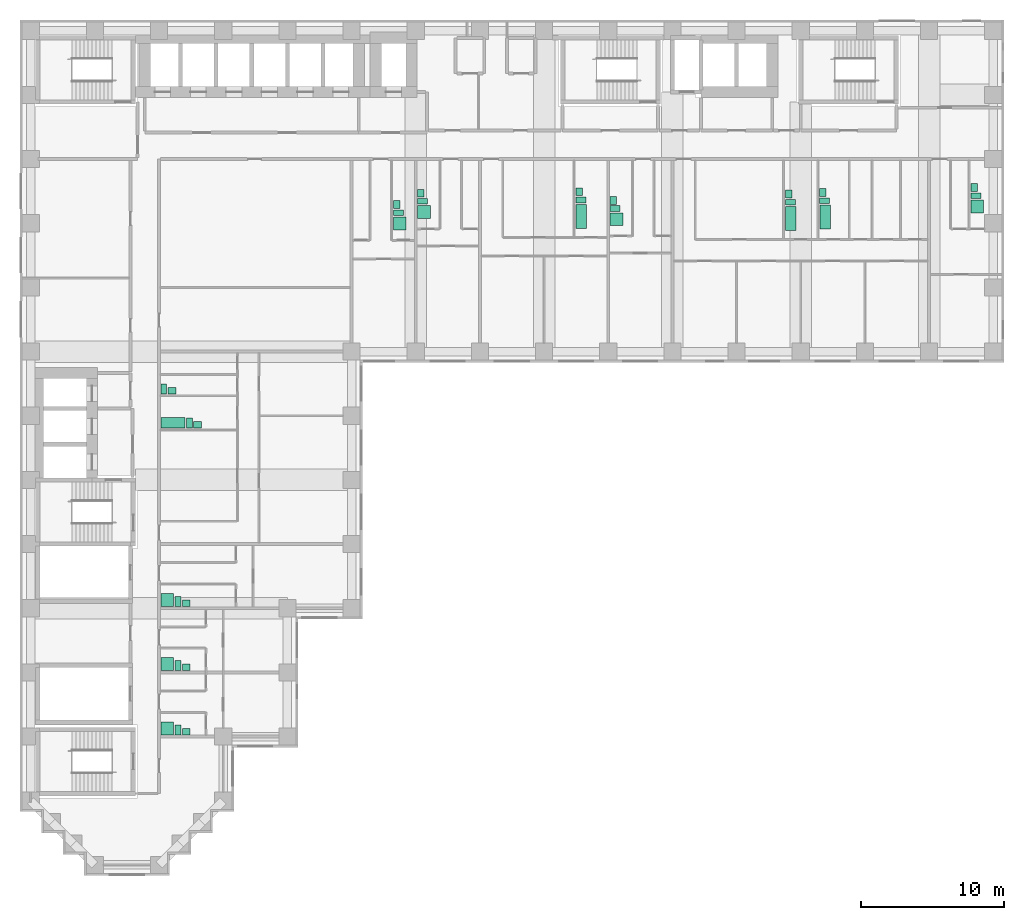
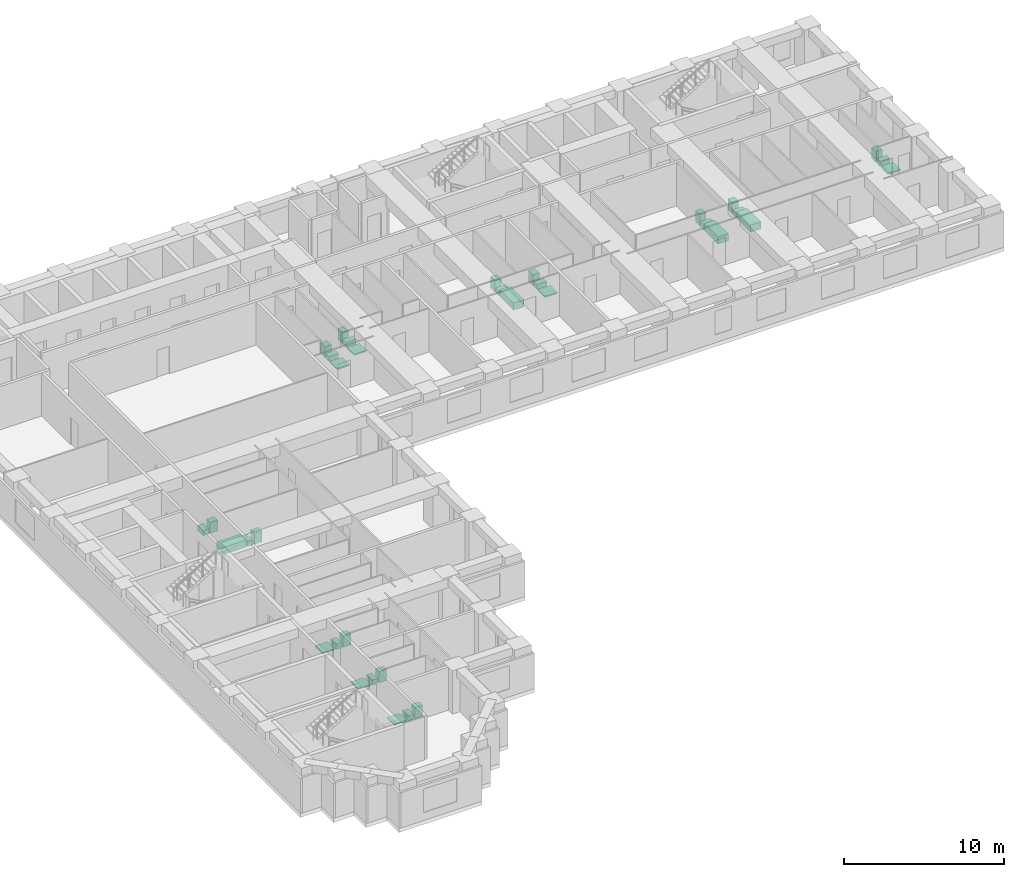
# One storey, part 12 of 12: 35 sanitary terminals.
"""IFC4 building model written with IfcOpenShell, lengths in metres."""

from ifc_helpers import new_model, si_unit, direction, frame, origin, origin_2d, place, context, subcontext, project, spatial, rectangle, extrude, material, type_object, element, save


model = new_model("IFC4")

# Units and contexts
model_context = context("Model", 3, precision=1e-05, world=origin(), true_north=direction((0.0, 1.0)))
body_context = subcontext(model_context, "Body", "Model", "MODEL_VIEW")
ifc_project = project(units=[si_unit("LENGTHUNIT", "METRE"), si_unit("AREAUNIT", "SQUARE_METRE"), si_unit("VOLUMEUNIT", "CUBIC_METRE"), si_unit("PLANEANGLEUNIT", "RADIAN"), si_unit("MASSUNIT", "GRAM", prefix="KILO")], contexts=[model_context])

# Site, building, storey
site_placement = place(None, origin())
site = spatial("IfcSite", under=ifc_project, at=site_placement, CompositionType="ELEMENT")
building_placement = place(site_placement, origin())
building = spatial("IfcBuilding", under=site, at=building_placement, Name="Firuza Court", CompositionType="ELEMENT")
storey_placement = place(building_placement, frame((0.0, 0.0, 43.39990234375)))
storey = spatial("IfcBuildingStorey", under=building, at=storey_placement, Name="L09", CompositionType="ELEMENT", Elevation=43.39990234375)

# Sanitary terminals
ifc_material_1 = material(Name="Vitreous china", Category="ceramic")
sanitary_terminal_type_1 = type_object("IfcSanitaryTerminalType", Name="Fixture Bath", PredefinedType="BATH", material=ifc_material_1)
for number, where, z_axis, x_axis, name in (
    (1, (38.60498046875, 45.47998046875, 0.0), (0.0, 0.0, 1.0), (1.0, 0.0, 0.0), "Bath"),
    (2, (53.304931640625, 45.330078125, 0.0), (0.0, 0.0, 1.0), (1.0, 0.0, 0.0), "Bath"),
    (3, (55.705078125, 45.429931640625, 0.0), (0.0, 0.0, 1.0), (1.0, 0.0, 0.0), "Bath"),
):
    element("IfcSanitaryTerminal", number, at=place(storey_placement, frame(where, z_axis=z_axis, x_axis=x_axis)), inside=storey, type_object=sanitary_terminal_type_1, Name=name, PredefinedType="BATH", context=body_context, shape_type="SweptSolid", body=[
        extrude(rectangle(XDim=0.75, YDim=1.699951171875, at=origin_2d()), origin(), (0.0, 0.0, 1.0), 0.550048828125),
    ])
sanitary_terminal_placement = place(storey_placement, frame((9.97998046875, 31.0048828125, 0.0), z_axis=(0.0, 0.0, 1.0), x_axis=(1.0, 0.0, 0.0)))
element("IfcSanitaryTerminal", 4, at=sanitary_terminal_placement, inside=storey, type_object=sanitary_terminal_type_1, Name="Bath", PredefinedType="BATH", context=body_context, shape_type="SweptSolid", body=[
    extrude(rectangle(XDim=1.699951171875, YDim=0.75, at=origin_2d()), origin(), (0.0, 0.0, 1.0), 0.550048828125),
])
ifc_material_2 = material(Name="Vitreous china", Category="ceramic")
sanitary_terminal_type_2 = type_object("IfcSanitaryTerminalType", Name="Fixture Shower tray", PredefinedType="SHOWER", material=ifc_material_2)
for number, where, z_axis, x_axis, name in (
    (5, (25.8798828125, 44.97998046875, 0.0), (0.0, 0.0, 1.0), (1.0, 0.0, 0.0), "Shower tray"),
    (6, (27.580078125, 45.780029296875, 0.0), (0.0, 0.0, 1.0), (1.0, 0.0, 0.0), "Shower tray"),
    (7, (41.080078125, 45.280029296875, 0.0), (0.0, 0.0, 1.0), (1.0, 0.0, 0.0), "Shower tray"),
    (8, (66.3798828125, 46.179931640625, 0.0), (0.0, 0.0, 1.0), (1.0, 0.0, 0.0), "Shower tray"),
    (9, (9.580078125, 18.580078125, 0.0), (0.0, 0.0, 1.0), (1.0, 0.0, 0.0), "Shower tray"),
    (10, (9.580078125, 14.080078125, 0.0), (0.0, 0.0, 1.0), (1.0, 0.0, 0.0), "Shower tray"),
    (11, (9.580078125, 9.580078125, 0.0), (0.0, 0.0, 1.0), (1.0, 0.0, 0.0), "Shower tray"),
):
    element("IfcSanitaryTerminal", number, at=place(storey_placement, frame(where, z_axis=z_axis, x_axis=x_axis)), inside=storey, type_object=sanitary_terminal_type_2, Name=name, PredefinedType="SHOWER", context=body_context, shape_type="SweptSolid", body=[
        extrude(rectangle(XDim=0.89990234375, YDim=0.89990234375, at=origin_2d()), origin(), (0.0, 0.0, 1.0), 0.10009765625),
    ])
ifc_material_3 = material(Name="Vitreous china", Category="ceramic")
sanitary_terminal_type_3 = type_object("IfcSanitaryTerminalType", Name="Fixture WC pan", PredefinedType="TOILETPAN", material=ifc_material_3)
for number, where, z_axis, x_axis, name in (
    (12, (25.780029296875, 45.72998046875, 0.000244140625), (0.0, 0.0, 1.0), (1.0, 0.0, 0.0), "WC pan"),
    (13, (27.47998046875, 46.530029296875, 0.000244140625), (0.0, 0.0, 1.0), (1.0, 0.0, 0.0), "WC pan"),
    (14, (38.580078125, 46.6298828125, 0.000244140625), (0.0, 0.0, 1.0), (1.0, 0.0, 0.0), "WC pan"),
    (15, (40.97998046875, 46.030029296875, 0.000244140625), (0.0, 0.0, 1.0), (1.0, 0.0, 0.0), "WC pan"),
    (16, (53.280029296875, 46.47998046875, 0.000244140625), (0.0, 0.0, 1.0), (1.0, 0.0, 0.0), "WC pan"),
    (17, (55.679931640625, 46.580078125, 0.000244140625), (0.0, 0.0, 1.0), (1.0, 0.0, 0.0), "WC pan"),
    (18, (66.280029296875, 46.929931640625, 0.000244140625), (0.0, 0.0, 1.0), (1.0, 0.0, 0.0), "WC pan"),
):
    element("IfcSanitaryTerminal", number, at=place(storey_placement, frame(where, z_axis=z_axis, x_axis=x_axis)), inside=storey, type_object=sanitary_terminal_type_3, Name=name, PredefinedType="TOILETPAN", context=body_context, shape_type="SweptSolid", body=[
        extrude(rectangle(XDim=0.699951171875, YDim=0.39990234375, at=origin_2d()), origin(), (0.0, 0.0, 1.0), 0.39990234375),
    ])
for number, where, z_axis, x_axis, name in (
    (19, (11.1298828125, 30.97998046875, 0.000244140625), (0.0, 0.0, 1.0), (1.0, 0.0, 0.0), "WC pan"),
    (20, (9.330078125, 33.3798828125, 0.000244140625), (0.0, 0.0, 1.0), (1.0, 0.0, 0.0), "WC pan"),
    (21, (10.330078125, 18.47998046875, 0.000244140625), (0.0, 0.0, 1.0), (1.0, 0.0, 0.0), "WC pan"),
    (22, (10.330078125, 13.97998046875, 0.000244140625), (0.0, 0.0, 1.0), (1.0, 0.0, 0.0), "WC pan"),
    (23, (10.330078125, 9.47998046875, 0.000244140625), (0.0, 0.0, 1.0), (1.0, 0.0, 0.0), "WC pan"),
):
    element("IfcSanitaryTerminal", number, at=place(storey_placement, frame(where, z_axis=z_axis, x_axis=x_axis)), inside=storey, type_object=sanitary_terminal_type_3, Name=name, PredefinedType="TOILETPAN", context=body_context, shape_type="SweptSolid", body=[
        extrude(rectangle(XDim=0.39990234375, YDim=0.699951171875, at=origin_2d()), origin(), (0.0, 0.0, 1.0), 0.39990234375),
    ])
ifc_material_4 = material(Name="Vitreous china", Category="ceramic")
sanitary_terminal_type_4 = type_object("IfcSanitaryTerminalType", Name="Fixture Washbasin", PredefinedType="WASHHANDBASIN", material=ifc_material_4)
for number, where, z_axis, x_axis, name in (
    (24, (25.655029296875, 46.304931640625, 0.0), (0.0, 0.0, 1.0), (1.0, 0.0, 0.0), "Washbasin"),
    (25, (27.35498046875, 47.10498046875, 0.0), (0.0, 0.0, 1.0), (1.0, 0.0, 0.0), "Washbasin"),
    (26, (38.455078125, 47.205078125, 0.0), (0.0, 0.0, 1.0), (1.0, 0.0, 0.0), "Washbasin"),
    (27, (40.85498046875, 46.60498046875, 0.0), (0.0, 0.0, 1.0), (1.0, 0.0, 0.0), "Washbasin"),
    (28, (53.155029296875, 47.054931640625, 0.0), (0.0, 0.0, 1.0), (1.0, 0.0, 0.0), "Washbasin"),
    (29, (55.554931640625, 47.155029296875, 0.0), (0.0, 0.0, 1.0), (1.0, 0.0, 0.0), "Washbasin"),
    (30, (66.155029296875, 47.5048828125, 0.0), (0.0, 0.0, 1.0), (1.0, 0.0, 0.0), "Washbasin"),
):
    element("IfcSanitaryTerminal", number, at=place(storey_placement, frame(where, z_axis=z_axis, x_axis=x_axis)), inside=storey, type_object=sanitary_terminal_type_4, Name=name, PredefinedType="WASHHANDBASIN", context=body_context, shape_type="SweptSolid", body=[
        extrude(rectangle(XDim=0.449951171875, YDim=0.550048828125, at=origin_2d()), origin(), (0.0, 0.0, 1.0), 0.85009765625),
    ])
for number, where, z_axis, x_axis, name in (
    (31, (11.705078125, 30.85498046875, 0.0), (0.0, 0.0, 1.0), (1.0, 0.0, 0.0), "Washbasin"),
    (32, (9.905029296875, 33.2548828125, 0.0), (0.0, 0.0, 1.0), (1.0, 0.0, 0.0), "Washbasin"),
    (33, (10.905029296875, 18.35498046875, 0.0), (0.0, 0.0, 1.0), (1.0, 0.0, 0.0), "Washbasin"),
    (34, (10.905029296875, 13.85498046875, 0.0), (0.0, 0.0, 1.0), (1.0, 0.0, 0.0), "Washbasin"),
    (35, (10.905029296875, 9.35498046875, 0.0), (0.0, 0.0, 1.0), (1.0, 0.0, 0.0), "Washbasin"),
):
    element("IfcSanitaryTerminal", number, at=place(storey_placement, frame(where, z_axis=z_axis, x_axis=x_axis)), inside=storey, type_object=sanitary_terminal_type_4, Name=name, PredefinedType="WASHHANDBASIN", context=body_context, shape_type="SweptSolid", body=[
        extrude(rectangle(XDim=0.550048828125, YDim=0.449951171875, at=origin_2d()), origin(), (0.0, 0.0, 1.0), 0.85009765625),
    ])

save(model, "model.ifc")
